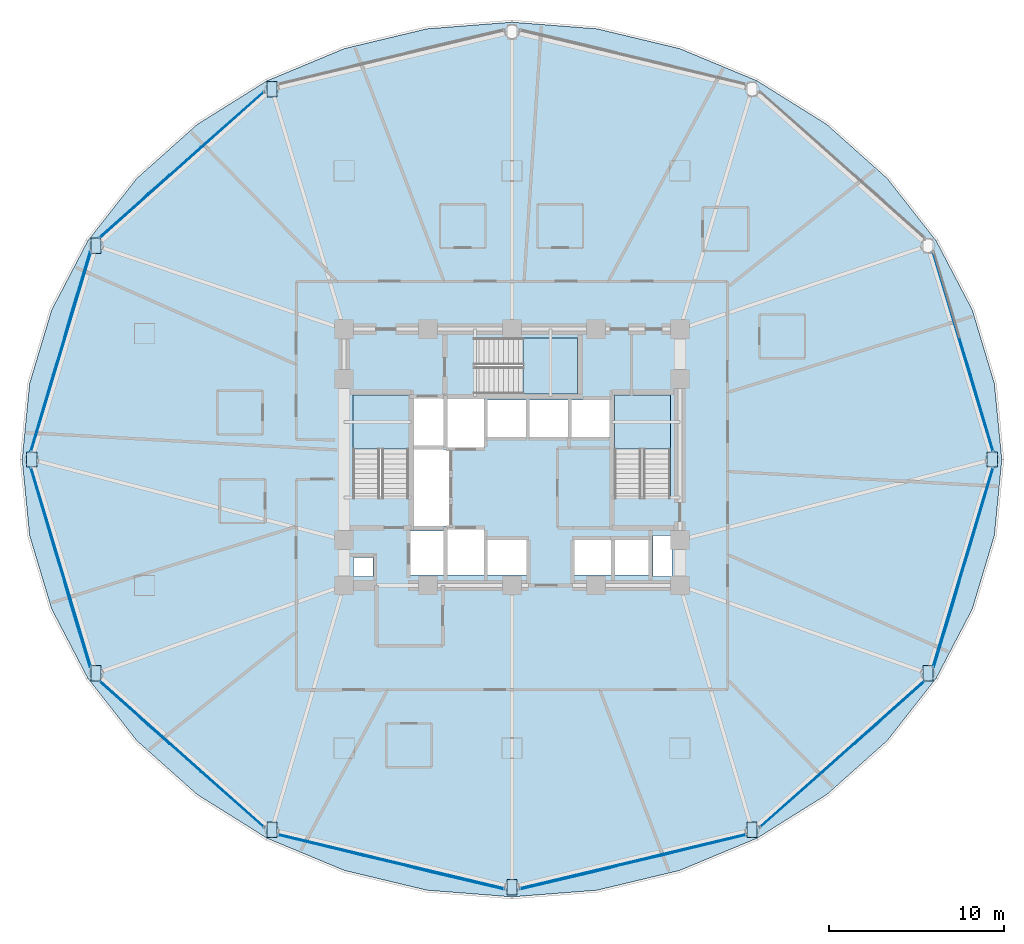
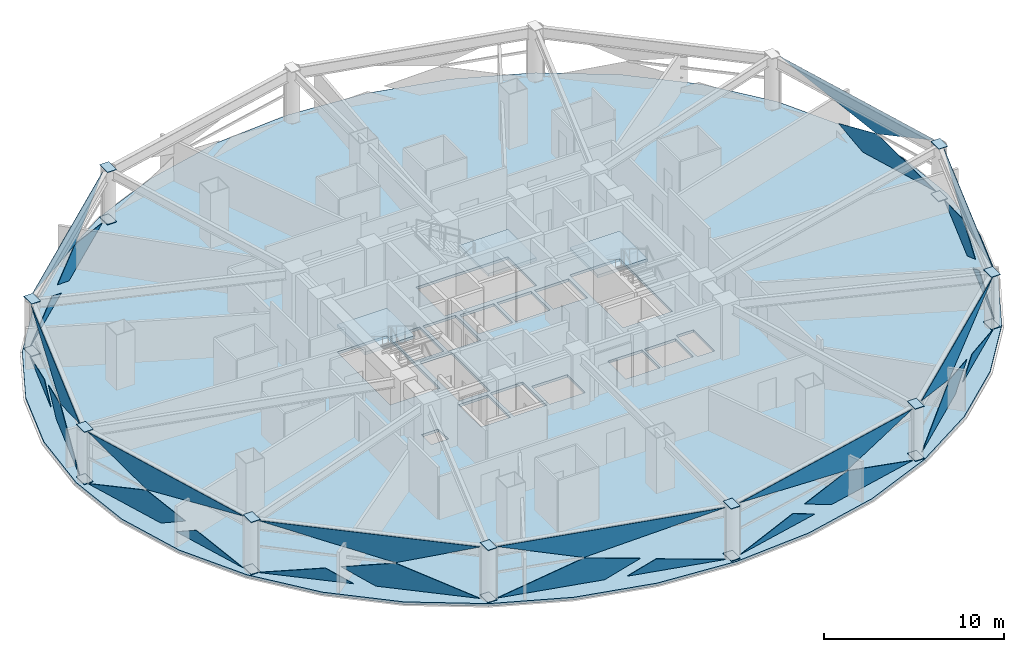
# One storey, part 20 of 29: 44 plates, 4 slabs, 12 elements without a shape of their own.
"""IFC4 building model written with IfcOpenShell, lengths in metres."""

from ifc_helpers import new_model, si_unit, direction, frame, origin, place, context, subcontext, project, spatial, polyline, outline, extrude, material, layer, layer_set, type_object, element, aggregate, save


model = new_model("IFC4")

# Units and contexts
model_context = context("Model", 3, precision=1e-05, world=origin(), true_north=direction((0.0, 1.0)))
body_context = subcontext(model_context, "Body", "Model", "MODEL_VIEW")
ifc_project = project(units=[si_unit("LENGTHUNIT", "METRE"), si_unit("AREAUNIT", "SQUARE_METRE"), si_unit("VOLUMEUNIT", "CUBIC_METRE"), si_unit("PLANEANGLEUNIT", "RADIAN"), si_unit("MASSUNIT", "GRAM", prefix="KILO")], contexts=[model_context])

# Site, building, storey
site_placement = place(None, origin())
site = spatial("IfcSite", under=ifc_project, at=site_placement, CompositionType="ELEMENT")
building_placement = place(site_placement, origin())
building = spatial("IfcBuilding", under=site, at=building_placement, Name="Vantalir Tower", CompositionType="ELEMENT")
storey_placement = place(building_placement, frame((0.0, 0.0, 60.75)))
storey = spatial("IfcBuildingStorey", under=building, at=storey_placement, Name="L14", CompositionType="ELEMENT", Elevation=60.75)

# Curtain wall, plates
ifc_material_1 = material(Name="Champagne-silver PVDF aluminium and double-silver Low-E glass", Category="aluminium")
ifc_layer_1 = layer(ifc_material_1, 0.18994140625)
ifc_layer_set_1 = layer_set([ifc_layer_1], Name="Champagne-silver PVDF aluminium and double-silver Low-E glass")
curtain_wall_type = type_object("IfcCurtainWallType", Name="CW-DIAMOND-Z1", PredefinedType="USERDEFINED", material=ifc_layer_set_1)
curtain_wall_1_placement = place(storey_placement, origin())
curtain_wall_1 = element("IfcCurtainWall", 1, at=curtain_wall_1_placement, inside=storey, type_object=curtain_wall_type, Name="L14 Quilted Pyramid-Diamond Curtain Wall S01", ObjectType="UNITISED CURTAIN WALL", PredefinedType="USERDEFINED")
ifc_material_2 = material(Name="Double-silver Low-E laminated glass IGU", Category="glass")
ifc_layer_2 = layer(ifc_material_2, 0.028076171875)
ifc_layer_set_2 = layer_set([ifc_layer_2], Name="Double-silver Low-E laminated glass IGU")
plate_type_1 = type_object("IfcPlateType", Name="CWP-IGU-28", PredefinedType="CURTAIN_PANEL", material=ifc_layer_set_2)
plate_1_placement = place(storey_placement, frame((59.00146484375, 25.46435546875, 0.046630859375), z_axis=(-0.957585523245, -0.287822510933, 0.013717429533), x_axis=(-0.2878501672, 0.957675456164, -4.363226e-05)))
plate_1 = element("IfcPlate", 2, at=plate_1_placement, type_object=plate_type_1, Name="CW-L14-S01 Pyramid Diamond Facet 1L", PredefinedType="CURTAIN_PANEL", context=body_context, shape_type="SweptSolid", body=[
    extrude(outline(polyline([(0.0, 0.0), (5.586026816474533, -5.773376568485311e-18), (7.455185315758724, -1.040218081865752), (4.523163280431025, -1.7271669140632844), (0.0, 0.0)])), origin(), (0.0, 0.0, -1.0), 0.028076171875),
])
plate_2_placement = place(storey_placement, frame((55.57763671875, 36.85546875, 3.523681640625), z_axis=(0.957585673459, 0.287821332953, 0.013731652621), x_axis=(0.287848742224, -0.957675885245, -2.0525438e-05)))
plate_2 = element("IfcPlate", 3, at=plate_2_placement, type_object=plate_type_1, Name="CW-L14-S01 Pyramid Diamond Facet 2U", PredefinedType="CURTAIN_PANEL", context=body_context, shape_type="SweptSolid", body=[
    extrude(outline(polyline([(0.0, 0.0), (11.894539119924564, -1.3823577699190182e-18), (7.371335899829266, 1.7270623153452818), (0.0, 0.0)])), origin(), (0.0, 0.0, -1.0), 0.028076171875),
])
aggregate(curtain_wall_1, [plate_1, plate_2])

curtain_wall_2_placement = place(storey_placement, origin())
curtain_wall_2 = element("IfcCurtainWall", 4, at=curtain_wall_2_placement, inside=storey, type_object=curtain_wall_type, Name="L14 Quilted Pyramid-Diamond Curtain Wall S05", ObjectType="UNITISED CURTAIN WALL", PredefinedType="USERDEFINED")
plate_3_placement = place(storey_placement, frame((17.318115234375, 46.017333984375, 0.04638671875), z_axis=(0.665380065364, -0.746377062896, 0.013807555862), x_axis=(-0.746448220098, -0.665443502269, -9.1736e-08)))
plate_3 = element("IfcPlate", 5, at=plate_3_placement, type_object=plate_type_1, Name="CW-L14-S05 Pyramid Diamond Facet 1L", PredefinedType="CURTAIN_PANEL", context=body_context, shape_type="SweptSolid", body=[
    extrude(outline(polyline([(0.0, 0.0), (5.919997347752023, 0.0), (7.890179784434777, -1.0403831054586923), (4.789967201799469, -1.7274594949256414), (0.0, 0.0)])), origin(), (0.0, 0.0, -1.0), 0.028076171875),
])
plate_4_placement = place(storey_placement, frame((11.93603515625, 41.26220703125, 0.0458984375), z_axis=(0.665377261766, -0.746380889574, 0.013735618061), x_axis=(-0.746451308336, -0.665440038083, 0.0)))
plate_4 = element("IfcPlate", 6, at=plate_4_placement, type_object=plate_type_1, Name="CW-L14-S05 Pyramid Diamond Facet 1L Infill Light", PredefinedType="CURTAIN_PANEL", context=body_context, shape_type="SweptSolid", body=[
    extrude(outline(polyline([(0.0, 0.0), (5.4034968129640415, 0.0), (1.5972114904571333, -0.843585441581916), (0.0, 0.0)])), origin(), (0.0, 0.0, -1.0), 0.028076171875),
])
plate_5_placement = place(storey_placement, frame((7.924072265625, 37.642822265625, 3.523681640625), z_axis=(-0.665376313252, 0.746381072617, 0.013771572259), x_axis=(0.746451682649, 0.665439617917, -1.9399441e-05)))
plate_5 = element("IfcPlate", 7, at=plate_5_placement, type_object=plate_type_1, Name="CW-L14-S05 Pyramid Diamond Facet 2U", PredefinedType="CURTAIN_PANEL", context=body_context, shape_type="SweptSolid", body=[
    extrude(outline(polyline([(0.0, 0.0), (12.584931064006946, 1.2088854223213374e-17), (7.794997084625826, 1.7273075086740082), (0.0, 0.0)])), origin(), (0.0, 0.0, -1.0), 0.028076171875),
])
aggregate(curtain_wall_2, [plate_3, plate_4, plate_5])

curtain_wall_3_placement = place(storey_placement, origin())
curtain_wall_3 = element("IfcCurtainWall", 8, at=curtain_wall_3_placement, inside=storey, type_object=curtain_wall_type, Name="L14 Quilted Pyramid-Diamond Curtain Wall S06", ObjectType="UNITISED CURTAIN WALL", PredefinedType="USERDEFINED")
plate_6_placement = place(storey_placement, frame((5.6064453125, 30.81396484375, 0.04638671875), z_axis=(0.957585523245, -0.287822510933, 0.013717429533), x_axis=(-0.2878501672, -0.957675456164, 4.363226e-05)))
plate_6 = element("IfcPlate", 9, at=plate_6_placement, type_object=plate_type_1, Name="CW-L14-S06 Pyramid Diamond Facet 1L", PredefinedType="CURTAIN_PANEL", context=body_context, shape_type="SweptSolid", body=[
    extrude(outline(polyline([(0.0, 0.0), (5.586026816474533, 5.773376568485311e-18), (1.0628635360435077, -1.7271669140632844), (-1.8691584992841903, -1.0402180818657523), (0.0, 0.0)])), origin(), (0.0, 0.0, -1.0), 0.028076171875),
])
plate_7_placement = place(storey_placement, frame((7.391845703125, 36.86474609375, 0.0458984375), z_axis=(0.957584343686, -0.287831035464, 0.013620563553), x_axis=(-0.287857738351, -0.957673181451, 0.0)))
plate_7 = element("IfcPlate", 10, at=plate_7_placement, type_object=plate_type_1, Name="CW-L14-S06 Pyramid Diamond Facet 1L Infill Light", PredefinedType="CURTAIN_PANEL", context=body_context, shape_type="SweptSolid", body=[
    extrude(outline(polyline([(0.0, 0.0), (5.095561729215207, -3.469446951953614e-18), (3.5859856774687073, -0.8401658279177056), (0.0, 0.0)])), origin(), (0.0, 0.0, -1.0), 0.028076171875),
])
plate_8_placement = place(storey_placement, frame((3.99853515625, 25.46435546875, 3.5234375), z_axis=(-0.957585673459, 0.287821332953, 0.013731652621), x_axis=(0.287848742224, 0.957675885245, 2.0525438e-05)))
plate_8 = element("IfcPlate", 11, at=plate_8_placement, type_object=plate_type_1, Name="CW-L14-S06 Pyramid Diamond Facet 2U", PredefinedType="CURTAIN_PANEL", context=body_context, shape_type="SweptSolid", body=[
    extrude(outline(polyline([(0.0, 0.0), (11.894539119924564, 1.3823577699190182e-18), (4.523203220095297, 1.727062315345282), (0.0, 0.0)])), origin(), (0.0, 0.0, -1.0), 0.028076171875),
])
aggregate(curtain_wall_3, [plate_6, plate_7, plate_8])

curtain_wall_4_placement = place(storey_placement, origin())
curtain_wall_4 = element("IfcCurtainWall", 12, at=curtain_wall_4_placement, inside=storey, type_object=curtain_wall_type, Name="L14 Quilted Pyramid-Diamond Curtain Wall S07", ObjectType="UNITISED CURTAIN WALL", PredefinedType="USERDEFINED")
plate_9_placement = place(storey_placement, frame((3.99853515625, 24.53564453125, 0.046630859375), z_axis=(0.957590379764, 0.287805843527, 0.013728110421), x_axis=(0.287833539417, -0.957680453853, -4.3521508e-05)))
plate_9 = element("IfcPlate", 13, at=plate_9_placement, type_object=plate_type_1, Name="CW-L14-S07 Pyramid Diamond Facet 1L", PredefinedType="CURTAIN_PANEL", context=body_context, shape_type="SweptSolid", body=[
    extrude(outline(polyline([(0.0, 0.0), (5.5864944335600395, -1.0570971181733668e-18), (7.455653294988738, -1.040217428968674), (4.523631500306174, -1.7271672850076762), (0.0, 0.0)])), origin(), (0.0, 0.0, -1.0), 0.028076171875),
])
plate_10_placement = place(storey_placement, frame((5.925048828125, 18.0146484375, 0.0458984375), z_axis=(0.957591837005, 0.287804490081, 0.013654639907), x_axis=(0.287831324291, -0.957681120602, 0.0)))
plate_10 = element("IfcPlate", 14, at=plate_10_placement, type_object=plate_type_1, Name="CW-L14-S07 Pyramid Diamond Facet 1L Infill Light", PredefinedType="CURTAIN_PANEL", context=body_context, shape_type="SweptSolid", body=[
    extrude(outline(polyline([(0.0, 0.0), (5.096029345011696, -3.469446951953614e-18), (1.5098101756680813, -0.8401662184320684), (0.0, 0.0)])), origin(), (0.0, 0.0, -1.0), 0.028076171875),
])
plate_11_placement = place(storey_placement, frame((7.42236328125, 13.143310546875, 3.523681640625), z_axis=(-0.957594122019, -0.287793031557, 0.013735663859), x_axis=(-0.287820454072, 0.957684387362, -2.0523421e-05)))
plate_11 = element("IfcPlate", 15, at=plate_11_placement, type_object=plate_type_1, Name="CW-L14-S07 Pyramid Diamond Facet 2U", PredefinedType="CURTAIN_PANEL", context=body_context, shape_type="SweptSolid", body=[
    extrude(outline(polyline([(0.0, 0.0), (11.895708163059952, 9.405453846311751e-18), (7.372036621613878, 1.7270624109929982), (0.0, 0.0)])), origin(), (0.0, 0.0, -1.0), 0.028076171875),
])
aggregate(curtain_wall_4, [plate_9, plate_10, plate_11])

curtain_wall_5_placement = place(storey_placement, origin())
curtain_wall_5 = element("IfcCurtainWall", 16, at=curtain_wall_5_placement, inside=storey, type_object=curtain_wall_type, Name="L14 Quilted Pyramid-Diamond Curtain Wall S08", ObjectType="UNITISED CURTAIN WALL", PredefinedType="USERDEFINED")
plate_12_placement = place(storey_placement, frame((12.898681640625, 7.921630859375, 0.04638671875), z_axis=(0.665396844592, 0.746360644274, 0.013886248067), x_axis=(0.746432613747, -0.665461007974, 5.4949e-08)))
plate_12 = element("IfcPlate", 17, at=plate_12_placement, type_object=plate_type_1, Name="CW-L14-S08 Pyramid Diamond Facet 1L", PredefinedType="CURTAIN_PANEL", context=body_context, shape_type="SweptSolid", body=[
    extrude(outline(polyline([(0.0, 0.0), (5.91912571133903, -6.938893903907228e-18), (1.129848406957085, -1.7274614191870987), (-1.9698374360017061, -1.0403839489689757), (0.0, 0.0)])), origin(), (0.0, 0.0, -1.0), 0.028076171875),
])
plate_13_placement = place(storey_placement, frame((7.902587890625, 12.33251953125, 0.0458984375), z_axis=(0.66537170953, 0.746385662755, 0.013745202465), x_axis=(0.746456180289, -0.665434572973, 0.0)))
plate_13 = element("IfcPlate", 18, at=plate_13_placement, type_object=plate_type_1, Name="CW-L14-S08 Pyramid Diamond Facet 1L Infill Light", PredefinedType="CURTAIN_PANEL", context=body_context, shape_type="SweptSolid", body=[
    extrude(outline(polyline([(0.0, 0.0), (5.402807413037353, 0.0), (3.805940537679308, -0.8435855526977427), (0.0, 0.0)])), origin(), (0.0, 0.0, -1.0), 0.028076171875),
])
plate_14_placement = place(storey_placement, frame((17.31689453125, 3.982666015625, 3.5234375), z_axis=(-0.665380877661, -0.746376241154, 0.013812830396), x_axis=(-0.746447275011, 0.665444562117, 1.9401847e-05)))
plate_14 = element("IfcPlate", 19, at=plate_14_placement, type_object=plate_type_1, Name="CW-L14-S08 Pyramid Diamond Facet 2U", PredefinedType="CURTAIN_PANEL", context=body_context, shape_type="SweptSolid", body=[
    extrude(outline(polyline([(0.0, 0.0), (12.583370025004436, 1.734723475976807e-17), (4.789244417247362, 1.7273084899179283), (0.0, 0.0)])), origin(), (0.0, 0.0, -1.0), 0.028076171875),
])
aggregate(curtain_wall_5, [plate_12, plate_13, plate_14])

curtain_wall_6_placement = place(storey_placement, origin())
curtain_wall_6 = element("IfcCurtainWall", 20, at=curtain_wall_6_placement, inside=storey, type_object=curtain_wall_type, Name="L14 Quilted Pyramid-Diamond Curtain Wall S09", ObjectType="UNITISED CURTAIN WALL", PredefinedType="USERDEFINED")
plate_15_placement = place(storey_placement, frame((18.150634765625, 3.54736328125, 0.04638671875), z_axis=(0.232296859832, 0.972547952681, 0.013734942615), x_axis=(0.972639701606, -0.232318769927, -3.18137e-07)))
plate_15 = element("IfcPlate", 21, at=plate_15_placement, type_object=plate_type_1, Name="CW-L14-S09 Pyramid Diamond Facet 1L", PredefinedType="CURTAIN_PANEL", context=body_context, shape_type="SweptSolid", body=[
    extrude(outline(polyline([(0.0, 0.0), (6.235513361636755, 0.0), (8.299988895672762, -1.0401398181489776), (5.034834961260884, -1.7277016524970057), (0.0, 0.0)])), origin(), (0.0, 0.0, -1.0), 0.028076171875),
])
plate_16_placement = place(storey_placement, frame((25.482177734375, 1.763427734375, 0.0458984375), z_axis=(0.232302844514, 0.972548634222, 0.013584642232), x_axis=(0.972638519349, -0.232323715624, -4.2872064e-05)))
plate_16 = element("IfcPlate", 22, at=plate_16_placement, type_object=plate_type_1, Name="CW-L14-S09 Pyramid Diamond Facet 1L Infill Light", PredefinedType="CURTAIN_PANEL", context=body_context, shape_type="SweptSolid", body=[
    extrude(outline(polyline([(0.0, 0.0), (5.694631920483472, -1.8431436932253575e-18), (1.6784409555623392, -0.8456089723794219), (0.0, 0.0)])), origin(), (0.0, 0.0, -1.0), 0.028076171875),
])
plate_17_placement = place(storey_placement, frame((31.0283203125, 0.4716796875, 3.523681640625), z_axis=(-0.232282580176, -0.972551933364, 0.013694519232), x_axis=(-0.972643142318, 0.232304364361, 0.0)))
plate_17 = element("IfcPlate", 23, at=plate_17_placement, type_object=plate_type_1, Name="CW-L14-S09 Pyramid Diamond Facet 2U", PredefinedType="CURTAIN_PANEL", context=body_context, shape_type="SweptSolid", body=[
    extrude(outline(polyline([(0.0, 0.0), (13.239887258321206, 0.0), (8.205052097336573, 1.727701076502787), (0.0, 0.0)])), origin(), (0.0, 0.0, -1.0), 0.028076171875),
])
aggregate(curtain_wall_6, [plate_15, plate_16, plate_17])

curtain_wall_7_placement = place(storey_placement, origin())
curtain_wall_7 = element("IfcCurtainWall", 24, at=curtain_wall_7_placement, inside=storey, type_object=curtain_wall_type, Name="L14 Quilted Pyramid-Diamond Curtain Wall S10", ObjectType="UNITISED CURTAIN WALL", PredefinedType="USERDEFINED")
plate_18_placement = place(storey_placement, frame((38.784423828125, 2.098876953125, 0.04638671875), z_axis=(-0.232296859832, 0.972547952681, 0.013734942615), x_axis=(0.972639701606, 0.232318769927, 3.18137e-07)))
plate_18 = element("IfcPlate", 25, at=plate_18_placement, type_object=plate_type_1, Name="CW-L14-S10 Pyramid Diamond Facet 1L", PredefinedType="CURTAIN_PANEL", context=body_context, shape_type="SweptSolid", body=[
    extrude(outline(polyline([(0.0, 0.0), (6.235513361636755, 0.0), (1.2006784003758708, -1.7277016524970057), (-2.0644755340360073, -1.0401398181489776), (0.0, 0.0)])), origin(), (0.0, 0.0, -1.0), 0.028076171875),
])
plate_19_placement = place(storey_placement, frame((31.97900390625, 0.4404296875, 0.045654296875), z_axis=(-0.232302844514, 0.972548634222, 0.013584642232), x_axis=(0.972638519349, 0.232323715624, 4.2872064e-05)))
plate_19 = element("IfcPlate", 26, at=plate_19_placement, type_object=plate_type_1, Name="CW-L14-S10 Pyramid Diamond Facet 1L Infill Light", PredefinedType="CURTAIN_PANEL", context=body_context, shape_type="SweptSolid", body=[
    extrude(outline(polyline([(0.0, 0.0), (5.694631920483472, 1.8431436932253575e-18), (4.016190964921132, -0.8456089723794219), (0.0, 0.0)])), origin(), (0.0, 0.0, -1.0), 0.028076171875),
])
plate_20_placement = place(storey_placement, frame((44.849365234375, 3.54736328125, 3.523681640625), z_axis=(0.232282580176, -0.972551933364, 0.013694519232), x_axis=(-0.972643142318, -0.232304364361, 0.0)))
plate_20 = element("IfcPlate", 27, at=plate_20_placement, type_object=plate_type_1, Name="CW-L14-S10 Pyramid Diamond Facet 2U", PredefinedType="CURTAIN_PANEL", context=body_context, shape_type="SweptSolid", body=[
    extrude(outline(polyline([(0.0, 0.0), (13.239887258321206, 0.0), (5.034835160984634, 1.727701076502787), (0.0, 0.0)])), origin(), (0.0, 0.0, -1.0), 0.028076171875),
])
aggregate(curtain_wall_7, [plate_18, plate_19, plate_20])

curtain_wall_8_placement = place(storey_placement, origin())
curtain_wall_8 = element("IfcCurtainWall", 28, at=curtain_wall_8_placement, inside=storey, type_object=curtain_wall_type, Name="L14 Quilted Pyramid-Diamond Curtain Wall S11", ObjectType="UNITISED CURTAIN WALL", PredefinedType="USERDEFINED")
plate_21_placement = place(storey_placement, frame((45.68310546875, 3.982666015625, 0.04638671875), z_axis=(-0.665396844592, 0.746360644274, 0.013886248067), x_axis=(0.746432613747, 0.665461007974, -5.4949e-08)))
plate_21 = element("IfcPlate", 29, at=plate_21_placement, type_object=plate_type_1, Name="CW-L14-S11 Pyramid Diamond Facet 1L", PredefinedType="CURTAIN_PANEL", context=body_context, shape_type="SweptSolid", body=[
    extrude(outline(polyline([(0.0, 0.0), (5.91912571133903, 6.938893903907228e-18), (7.8889631473407364, -1.0403839489689757), (4.789277304381944, -1.7274614191870987), (0.0, 0.0)])), origin(), (0.0, 0.0, -1.0), 0.028076171875),
])
plate_22_placement = place(storey_placement, frame((51.064453125, 8.7373046875, 0.0458984375), z_axis=(-0.66537170953, 0.746385662755, 0.013745202465), x_axis=(0.746456180289, 0.665434572973, 0.0)))
plate_22 = element("IfcPlate", 30, at=plate_22_placement, type_object=plate_type_1, Name="CW-L14-S11 Pyramid Diamond Facet 1L Infill Light", PredefinedType="CURTAIN_PANEL", context=body_context, shape_type="SweptSolid", body=[
    extrude(outline(polyline([(0.0, 0.0), (5.402807413037353, 0.0), (1.5968668753580446, -0.8435855526977427), (0.0, 0.0)])), origin(), (0.0, 0.0, -1.0), 0.028076171875),
])
plate_23_placement = place(storey_placement, frame((55.075927734375, 12.356201171875, 3.523681640625), z_axis=(0.665380877661, -0.746376241154, 0.013812830396), x_axis=(-0.746447275011, -0.665444562117, -1.9401847e-05)))
plate_23 = element("IfcPlate", 31, at=plate_23_placement, type_object=plate_type_1, Name="CW-L14-S11 Pyramid Diamond Facet 2U", PredefinedType="CURTAIN_PANEL", context=body_context, shape_type="SweptSolid", body=[
    extrude(outline(polyline([(0.0, 0.0), (12.583370025004436, -1.734723475976807e-17), (7.794125607757075, 1.7273084899179283), (0.0, 0.0)])), origin(), (0.0, 0.0, -1.0), 0.028076171875),
])
aggregate(curtain_wall_8, [plate_21, plate_22, plate_23])

curtain_wall_9_placement = place(storey_placement, origin())
curtain_wall_9 = element("IfcCurtainWall", 32, at=curtain_wall_9_placement, inside=storey, type_object=curtain_wall_type, Name="L14 Quilted Pyramid-Diamond Curtain Wall S12", ObjectType="UNITISED CURTAIN WALL", PredefinedType="USERDEFINED")
plate_24_placement = place(storey_placement, frame((57.3935546875, 19.185546875, 0.04638671875), z_axis=(-0.957590379764, 0.287805843527, 0.013728110421), x_axis=(0.287833539417, 0.957680453853, 4.3521508e-05)))
plate_24 = element("IfcPlate", 33, at=plate_24_placement, type_object=plate_type_1, Name="CW-L14-S12 Pyramid Diamond Facet 1L", PredefinedType="CURTAIN_PANEL", context=body_context, shape_type="SweptSolid", body=[
    extrude(outline(polyline([(0.0, 0.0), (5.5864944335600395, 1.0570971181733668e-18), (1.0628629332538646, -1.727167285007676), (-1.8691588614286996, -1.0402174289686743), (0.0, 0.0)])), origin(), (0.0, 0.0, -1.0), 0.028076171875),
])
plate_25_placement = place(storey_placement, frame((55.608154296875, 13.13427734375, 0.0458984375), z_axis=(-0.957591837005, 0.287804490081, 0.013654639907), x_axis=(0.287831324291, 0.957681120602, 0.0)))
plate_25 = element("IfcPlate", 34, at=plate_25_placement, type_object=plate_type_1, Name="CW-L14-S12 Pyramid Diamond Facet 1L Infill Light", PredefinedType="CURTAIN_PANEL", context=body_context, shape_type="SweptSolid", body=[
    extrude(outline(polyline([(0.0, 0.0), (5.096029345011696, 3.469446951953614e-18), (3.586219169343615, -0.8401662184320684), (0.0, 0.0)])), origin(), (0.0, 0.0, -1.0), 0.028076171875),
])
plate_26_placement = place(storey_placement, frame((59.00146484375, 24.53564453125, 3.5234375), z_axis=(0.957594122019, -0.287793031557, 0.013735663859), x_axis=(-0.287820454072, -0.957684387362, 2.0523421e-05)))
plate_26 = element("IfcPlate", 35, at=plate_26_placement, type_object=plate_type_1, Name="CW-L14-S12 Pyramid Diamond Facet 2U", PredefinedType="CURTAIN_PANEL", context=body_context, shape_type="SweptSolid", body=[
    extrude(outline(polyline([(0.0, 0.0), (11.895708163059952, -9.405453846311751e-18), (4.523671541446076, 1.7270624109929982), (0.0, 0.0)])), origin(), (0.0, 0.0, -1.0), 0.028076171875),
])
aggregate(curtain_wall_9, [plate_24, plate_25, plate_26])

# Plates
ifc_material_3 = material(Name="Steel S460", Category="steel")
ifc_layer_3 = layer(ifc_material_3, 0.035888671875)
ifc_layer_set_3 = layer_set([ifc_layer_3], Name="Steel S460")
plate_type_2 = type_object("IfcPlateType", Name="PLT-KN-Z2", PredefinedType="USERDEFINED", material=ifc_layer_set_3)
for number, where, z_axis, x_axis, name in (
    (36, (58.660888671875, 25.43994140625, 3.597900390625), (0.0, 0.0, 1.0), (0.0, -1.0, 0.0), "L14 Ring Column Top Cap RC01"),
    (37, (58.660888671875, 25.43994140625, 0.052978515625), (0.0, 0.0, 1.0), (0.0, -1.0, 0.0), "L14 Ring Column Base Cap RC01"),
):
    element("IfcPlate", number, at=place(storey_placement, frame(where, z_axis=z_axis, x_axis=x_axis)), inside=storey, type_object=plate_type_2, Name=name, ObjectType="FLANGE_PLATE", PredefinedType="USERDEFINED", context=body_context, shape_type="SweptSolid", body=[
        extrude(outline(polyline([(0.0, 0.0), (0.8798828125, 0.0), (0.8798828125, 0.580078125), (0.0, 0.580078125), (0.0, 0.0)])), origin(), (0.0, 0.0, -1.0), 0.035888671875),
    ])
for number, where, z_axis, x_axis, name in (
    (38, (17.485107421875, 46.614990234375, 3.597900390625), (0.0, 0.0, 1.0), (0.0, -1.0, 0.0), "L14 Ring Column Top Cap RC05"),
    (39, (17.485107421875, 46.614990234375, 0.052978515625), (0.0, 0.0, 1.0), (0.0, -1.0, 0.0), "L14 Ring Column Base Cap RC05"),
):
    element("IfcPlate", number, at=place(storey_placement, frame(where, z_axis=z_axis, x_axis=x_axis)), inside=storey, type_object=plate_type_2, Name=name, ObjectType="FLANGE_PLATE", PredefinedType="USERDEFINED", context=body_context, shape_type="SweptSolid", body=[
        extrude(outline(polyline([(0.0, 0.0), (0.8798828125, 0.0), (0.8798828125, 0.579833984375), (0.0, 0.579833984375), (0.0, 0.0)])), origin(), (0.0, 0.0, -1.0), 0.035888671875),
    ])
for number, where, z_axis, x_axis, name in (
    (40, (7.43701171875, 37.6650390625, 3.597900390625), (0.0, 0.0, 1.0), (0.0, -1.0, 0.0), "L14 Ring Column Top Cap RC06"),
    (41, (7.43701171875, 37.6650390625, 0.052978515625), (0.0, 0.0, 1.0), (0.0, -1.0, 0.0), "L14 Ring Column Base Cap RC06"),
):
    element("IfcPlate", number, at=place(storey_placement, frame(where, z_axis=z_axis, x_axis=x_axis)), inside=storey, type_object=plate_type_2, Name=name, ObjectType="FLANGE_PLATE", PredefinedType="USERDEFINED", context=body_context, shape_type="SweptSolid", body=[
        extrude(outline(polyline([(0.0, 0.0), (0.880126953125, 0.0), (0.880126953125, 0.580078125), (0.0, 0.580078125), (0.0, 0.0)])), origin(), (0.0, 0.0, -1.0), 0.035888671875),
    ])
for number, where, z_axis, x_axis, name in (
    (42, (3.759033203125, 25.43994140625, 3.597900390625), (0.0, 0.0, 1.0), (0.0, -1.0, 0.0), "L14 Ring Column Top Cap RC07"),
    (43, (3.759033203125, 25.43994140625, 0.052978515625), (0.0, 0.0, 1.0), (0.0, -1.0, 0.0), "L14 Ring Column Base Cap RC07"),
):
    element("IfcPlate", number, at=place(storey_placement, frame(where, z_axis=z_axis, x_axis=x_axis)), inside=storey, type_object=plate_type_2, Name=name, ObjectType="FLANGE_PLATE", PredefinedType="USERDEFINED", context=body_context, shape_type="SweptSolid", body=[
        extrude(outline(polyline([(0.0, 0.0), (0.8798828125, 0.0), (0.8798828125, 0.580078125), (0.0, 0.580078125), (0.0, 0.0)])), origin(), (0.0, 0.0, -1.0), 0.035888671875),
    ])
for number, where, z_axis, x_axis, name in (
    (44, (7.43701171875, 13.214111328125, 3.597900390625), (0.0, 0.0, 1.0), (0.0, -1.0, 0.0), "L14 Ring Column Top Cap RC08"),
    (45, (7.43701171875, 13.214111328125, 0.052978515625), (0.0, 0.0, 1.0), (0.0, -1.0, 0.0), "L14 Ring Column Base Cap RC08"),
):
    element("IfcPlate", number, at=place(storey_placement, frame(where, z_axis=z_axis, x_axis=x_axis)), inside=storey, type_object=plate_type_2, Name=name, ObjectType="FLANGE_PLATE", PredefinedType="USERDEFINED", context=body_context, shape_type="SweptSolid", body=[
        extrude(outline(polyline([(0.0, 0.0), (0.880126953125, 0.0), (0.880126953125, 0.580078125), (0.0, 0.580078125), (0.0, 0.0)])), origin(), (0.0, 0.0, -1.0), 0.035888671875),
    ])
for number, where, z_axis, x_axis, name in (
    (46, (17.48388671875, 4.264892578125, 3.597900390625), (0.0, 0.0, 1.0), (0.0, -1.0, 0.0), "L14 Ring Column Top Cap RC09"),
    (47, (17.48388671875, 4.264892578125, 0.052978515625), (0.0, 0.0, 1.0), (0.0, -1.0, 0.0), "L14 Ring Column Base Cap RC09"),
):
    element("IfcPlate", number, at=place(storey_placement, frame(where, z_axis=z_axis, x_axis=x_axis)), inside=storey, type_object=plate_type_2, Name=name, ObjectType="FLANGE_PLATE", PredefinedType="USERDEFINED", context=body_context, shape_type="SweptSolid", body=[
        extrude(outline(polyline([(0.0, 0.0), (0.8798828125, 0.0), (0.8798828125, 0.580078125), (0.0, 0.580078125), (0.0, 0.0)])), origin(), (0.0, 0.0, -1.0), 0.035888671875),
    ])
for number, where, z_axis, x_axis, name in (
    (48, (31.2099609375, 0.989013671875, 3.597900390625), (0.0, 0.0, 1.0), (0.0, -1.0, 0.0), "L14 Ring Column Top Cap RC10"),
    (49, (31.2099609375, 0.989013671875, 0.052978515625), (0.0, 0.0, 1.0), (0.0, -1.0, 0.0), "L14 Ring Column Base Cap RC10"),
):
    element("IfcPlate", number, at=place(storey_placement, frame(where, z_axis=z_axis, x_axis=x_axis)), inside=storey, type_object=plate_type_2, Name=name, ObjectType="FLANGE_PLATE", PredefinedType="USERDEFINED", context=body_context, shape_type="SweptSolid", body=[
        extrude(outline(polyline([(0.0, 0.0), (0.880126953125, 0.0), (0.880126953125, 0.580078125), (0.0, 0.580078125), (0.0, 0.0)])), origin(), (0.0, 0.0, -1.0), 0.035888671875),
    ])
for number, where, z_axis, x_axis, name in (
    (50, (44.93603515625, 4.264892578125, 3.597900390625), (0.0, 0.0, 1.0), (0.0, -1.0, 0.0), "L14 Ring Column Top Cap RC11"),
    (51, (44.93603515625, 4.264892578125, 0.052978515625), (0.0, 0.0, 1.0), (0.0, -1.0, 0.0), "L14 Ring Column Base Cap RC11"),
):
    element("IfcPlate", number, at=place(storey_placement, frame(where, z_axis=z_axis, x_axis=x_axis)), inside=storey, type_object=plate_type_2, Name=name, ObjectType="FLANGE_PLATE", PredefinedType="USERDEFINED", context=body_context, shape_type="SweptSolid", body=[
        extrude(outline(polyline([(0.0, 0.0), (0.8798828125, 0.0), (0.8798828125, 0.580078125), (0.0, 0.580078125), (0.0, 0.0)])), origin(), (0.0, 0.0, -1.0), 0.035888671875),
    ])
for number, where, z_axis, x_axis, name in (
    (52, (54.98291015625, 13.214111328125, 3.597900390625), (0.0, 0.0, 1.0), (0.0, -1.0, 0.0), "L14 Ring Column Top Cap RC12"),
    (53, (54.98291015625, 13.214111328125, 0.052978515625), (0.0, 0.0, 1.0), (0.0, -1.0, 0.0), "L14 Ring Column Base Cap RC12"),
):
    element("IfcPlate", number, at=place(storey_placement, frame(where, z_axis=z_axis, x_axis=x_axis)), inside=storey, type_object=plate_type_2, Name=name, ObjectType="FLANGE_PLATE", PredefinedType="USERDEFINED", context=body_context, shape_type="SweptSolid", body=[
        extrude(outline(polyline([(0.0, 0.0), (0.880126953125, 0.0), (0.880126953125, 0.580078125), (0.0, 0.580078125), (0.0, 0.0)])), origin(), (0.0, 0.0, -1.0), 0.035888671875),
    ])

# Stair, slab
ifc_material_4 = material(Name="Concrete C40/50", Category="concrete")
stair_type = type_object("IfcStairType", Name="STR-CORE-1450", PredefinedType="HALF_TURN_STAIR", material=ifc_material_4)
stair_1_placement = place(storey_placement, origin())
stair_1 = element("IfcStair", 54, at=stair_1_placement, inside=storey, type_object=stair_type, Name="L14 Core Exit Stair 1", PredefinedType="HALF_TURN_STAIR")
ifc_layer_4 = layer(ifc_material_4, 0.199951171875)
ifc_layer_set_4 = layer_set([ifc_layer_4], Name="Concrete C40/50")
slab_type_1 = type_object("IfcSlabType", Name="SL-LAND-200", PredefinedType="LANDING", material=ifc_layer_set_4)
slab_1_placement = place(storey_placement, frame((0.0, 0.0, 1.675048828125)))
slab_1 = element("IfcSlab", 55, at=slab_1_placement, type_object=slab_type_1, Name="ST1 landing 1", PredefinedType="LANDING", context=body_context, shape_type="SweptSolid", body=[
    extrude(outline(polyline([(25.60009765625, 25.590087890625), (25.60009765625, 28.699951171875), (22.39990234375, 28.699951171875), (22.39990234375, 25.590087890625), (25.60009765625, 25.590087890625)])), origin(), (0.0, 0.0, 1.0), 0.199951171875),
])
aggregate(stair_1, [slab_1])

stair_2_placement = place(storey_placement, origin())
stair_2 = element("IfcStair", 56, at=stair_2_placement, inside=storey, type_object=stair_type, Name="L14 Core Exit Stair 2", PredefinedType="HALF_TURN_STAIR")
slab_2_placement = place(storey_placement, frame((0.0, 0.0, 1.675048828125)))
slab_2 = element("IfcSlab", 57, at=slab_2_placement, type_object=slab_type_1, Name="ST2 landing 1", PredefinedType="LANDING", context=body_context, shape_type="SweptSolid", body=[
    extrude(outline(polyline([(40.550048828125, 25.590087890625), (40.550048828125, 28.699951171875), (37.35009765625, 28.699951171875), (37.35009765625, 25.590087890625), (40.550048828125, 25.590087890625)])), origin(), (0.0, 0.0, 1.0), 0.199951171875),
])
aggregate(stair_2, [slab_2])

stair_3_placement = place(storey_placement, origin())
stair_3 = element("IfcStair", 58, at=stair_3_placement, inside=storey, type_object=stair_type, Name="L14 Core Exit Stair 3", PredefinedType="HALF_TURN_STAIR")
slab_3_placement = place(storey_placement, frame((0.0, 0.0, 1.675048828125)))
slab_3 = element("IfcSlab", 59, at=slab_3_placement, type_object=slab_type_1, Name="ST3 landing 1", PredefinedType="LANDING", context=body_context, shape_type="SweptSolid", body=[
    extrude(outline(polyline([(32.139892578125, 28.75), (35.25, 28.75), (35.25, 31.949951171875), (32.139892578125, 31.949951171875), (32.139892578125, 28.75)])), origin(), (0.0, 0.0, 1.0), 0.199951171875),
])
aggregate(stair_3, [slab_3])

# Slab
ifc_layer_5 = layer(ifc_material_4, 0.179931640625)
ifc_layer_set_5 = layer_set([ifc_layer_5], Name="Concrete C40/50")
slab_type_2 = type_object("IfcSlabType", Name="SL-TWR-180", PredefinedType="FLOOR", material=ifc_layer_set_5)
slab_4_placement = place(storey_placement, frame((0.0, 0.0, -0.179931640625)))
element("IfcSlab", 60, at=slab_4_placement, inside=storey, type_object=slab_type_2, Name="L14 Primary Structural Slab", PredefinedType="FLOOR", context=body_context, shape_type="SweptSolid", body=[
    extrude(outline(polyline([(7.25, 12.4990234375), (10.050048828125, 8.929931640625), (13.5009765625, 5.847900390625), (17.4990234375, 3.347900390625), (21.923095703125, 1.507080078125), (26.637939453125, 0.37890625), (31.5, -0.0009765625), (36.362060546875, 0.37890625), (41.076904296875, 1.507080078125), (45.5009765625, 3.347900390625), (49.4990234375, 5.847900390625), (52.949951171875, 8.929931640625), (55.75, 12.4990234375), (57.81201171875, 16.448974609375), (59.075927734375, 20.658935546875), (59.5009765625, 25.0), (59.075927734375, 29.341064453125), (57.81201171875, 33.551025390625), (55.75, 37.5), (52.949951171875, 41.070068359375), (49.4990234375, 44.152099609375), (45.5009765625, 46.652099609375), (41.076904296875, 48.492919921875), (36.362060546875, 49.62109375), (31.5, 50.0009765625), (26.637939453125, 49.62109375), (21.923095703125, 48.492919921875), (17.5, 46.652099609375), (13.5009765625, 44.152099609375), (10.050048828125, 41.070068359375), (7.25, 37.5), (5.18798828125, 33.551025390625), (3.924072265625, 29.341064453125), (3.4990234375, 25.0), (3.924072265625, 20.658935546875), (5.18798828125, 16.448974609375), (7.25, 12.4990234375)]), holes=[polyline([(22.39990234375, 22.7900390625), (22.39990234375, 28.699951171875), (25.60009765625, 28.699951171875), (25.60009765625, 22.7900390625), (22.39990234375, 22.7900390625)]), polyline([(37.35009765625, 28.699951171875), (40.550048828125, 28.699951171875), (40.550048828125, 22.7900390625), (37.35009765625, 22.7900390625), (37.35009765625, 28.699951171875)]), polyline([(35.25, 28.75), (29.340087890625, 28.75), (29.340087890625, 31.949951171875), (35.25, 31.949951171875), (35.25, 28.75)]), polyline([(27.60009765625, 18.39990234375), (25.699951171875, 18.39990234375), (25.699951171875, 20.89990234375), (27.60009765625, 20.89990234375), (27.60009765625, 18.39990234375)]), polyline([(25.699951171875, 25.800048828125), (25.699951171875, 28.5), (27.60009765625, 28.5), (27.60009765625, 25.800048828125), (25.699951171875, 25.800048828125)]), polyline([(27.800048828125, 21.0), (29.89990234375, 21.0), (29.89990234375, 18.39990234375), (27.800048828125, 18.39990234375), (27.800048828125, 21.0)]), polyline([(29.89990234375, 28.5), (29.89990234375, 25.699951171875), (27.800048828125, 25.699951171875), (27.800048828125, 28.5), (29.89990234375, 28.5)]), polyline([(32.39990234375, 18.39990234375), (30.10009765625, 18.39990234375), (30.10009765625, 20.39990234375), (32.39990234375, 20.39990234375), (32.39990234375, 18.39990234375)]), polyline([(37.35009765625, 18.39990234375), (37.35009765625, 20.39990234375), (39.35009765625, 20.39990234375), (39.35009765625, 18.39990234375), (37.35009765625, 18.39990234375)]), polyline([(35.0, 20.39990234375), (37.199951171875, 20.39990234375), (37.199951171875, 18.39990234375), (35.0, 18.39990234375), (35.0, 20.39990234375)]), polyline([(32.300048828125, 28.39990234375), (32.300048828125, 26.300048828125), (30.10009765625, 26.300048828125), (30.10009765625, 28.39990234375), (32.300048828125, 28.39990234375)]), polyline([(34.699951171875, 26.300048828125), (32.5, 26.300048828125), (32.5, 28.39990234375), (34.699951171875, 28.39990234375), (34.699951171875, 26.300048828125)]), polyline([(34.89990234375, 26.300048828125), (34.89990234375, 28.39990234375), (37.10009765625, 28.39990234375), (37.10009765625, 26.300048828125), (34.89990234375, 26.300048828125)]), polyline([(25.889892578125, 25.56005859375), (27.89990234375, 25.56005859375), (27.89990234375, 21.199951171875), (25.889892578125, 21.199951171875), (25.889892578125, 25.56005859375)]), polyline([(23.550048828125, 19.39990234375), (23.550048828125, 18.300048828125), (22.449951171875, 18.300048828125), (22.449951171875, 19.39990234375), (23.550048828125, 19.39990234375)]), polyline([(40.64990234375, 18.300048828125), (39.550048828125, 18.300048828125), (39.550048828125, 20.64990234375), (40.64990234375, 20.64990234375), (40.64990234375, 18.300048828125)])]), origin(), (0.0, 0.0, 1.0), 0.179931640625),
])

save(model, "model.ifc")
